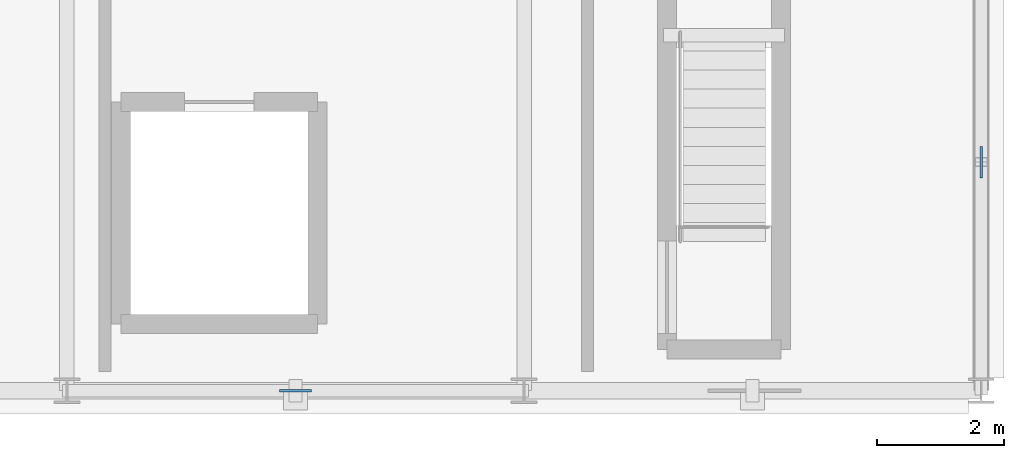
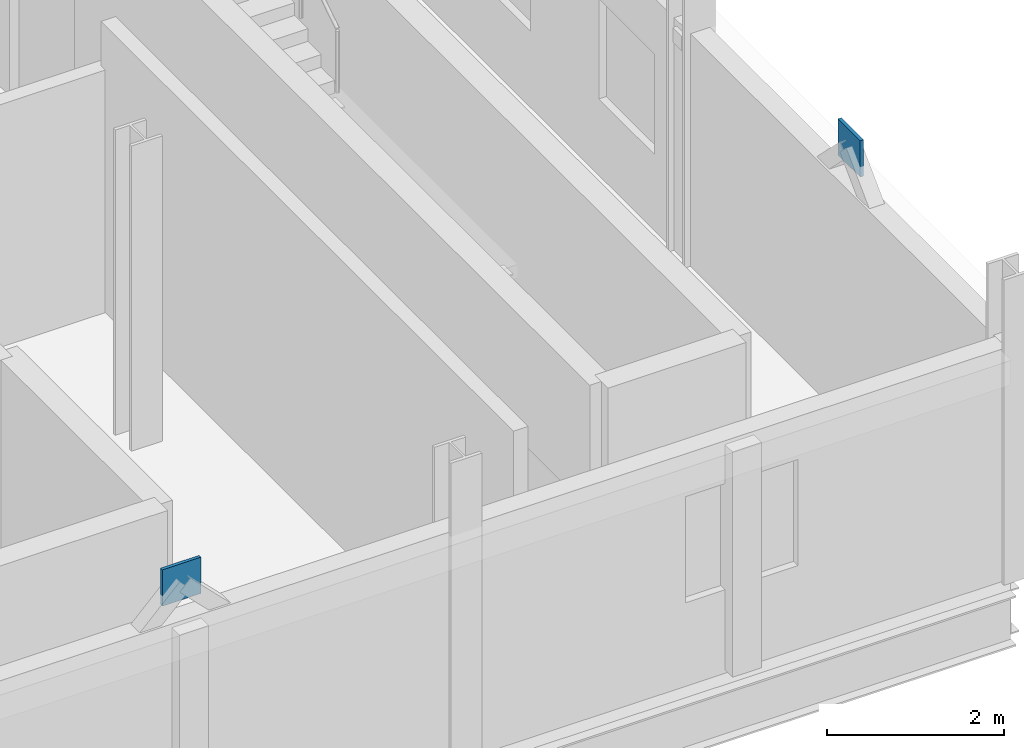
# One storey, part 100 of 144: 2 plates.
"""IFC4 building model written with IfcOpenShell, lengths in metres."""

from ifc_helpers import new_model, si_unit, direction, frame, origin, origin_2d, place, context, subcontext, project, spatial, rectangle, extrude, material, layer, layer_set, type_object, element, save


model = new_model("IFC4")

# Units and contexts
model_context = context("Model", 3, precision=1e-05, world=origin(), true_north=direction((0.0, 1.0)))
body_context = subcontext(model_context, "Body", "Model", "MODEL_VIEW")
ifc_project = project(units=[si_unit("LENGTHUNIT", "METRE"), si_unit("AREAUNIT", "SQUARE_METRE"), si_unit("VOLUMEUNIT", "CUBIC_METRE"), si_unit("PLANEANGLEUNIT", "RADIAN"), si_unit("MASSUNIT", "GRAM", prefix="KILO")], contexts=[model_context])

# Site, building, storey
site_placement = place(None, origin())
site = spatial("IfcSite", under=ifc_project, at=site_placement, CompositionType="ELEMENT")
building_placement = place(site_placement, origin())
building = spatial("IfcBuilding", under=site, at=building_placement, Name="Yarey Park Central Fire Station", CompositionType="ELEMENT")
storey_placement = place(building_placement, frame((0.0, 0.0, 10.199951171875)))
storey = spatial("IfcBuildingStorey", under=building, at=storey_placement, Name="L03", CompositionType="ELEMENT", Elevation=10.199951171875)

# Plates
ifc_material = material(Name="Steel ASTM A572 Gr. 50", Category="steel")
ifc_layer = layer(ifc_material, 0.0419921875)
ifc_layer_set = layer_set([ifc_layer], Name="Steel ASTM A572 Gr. 50")
plate_type = type_object("IfcPlateType", Name="STR_PLT_NODE2", PredefinedType="USERDEFINED", material=ifc_layer_set)
plate_1_placement = place(storey_placement, frame((165.60009765625, 3.60009765625, 3.400146484375), z_axis=(0.0, 0.0, 1.0), x_axis=(1.0, 0.0, 0.0)))
element("IfcPlate", 1, at=plate_1_placement, inside=storey, type_object=plate_type, Name="NODE_PLT_DT_L03_1", ObjectType="GUSSET_PLATE", PredefinedType="USERDEFINED", context=body_context, shape_type="SweptSolid", body=[
    extrude(rectangle(XDim=0.0419921875, YDim=0.5, at=origin_2d()), origin(), (0.0, 0.0, 1.0), 0.5),
])
plate_2_placement = place(storey_placement, frame((154.800048828125, 0.0, 3.400146484375), z_axis=(0.0, 0.0, 1.0), x_axis=(1.0, 0.0, 0.0)))
element("IfcPlate", 2, at=plate_2_placement, inside=storey, type_object=plate_type, Name="NODE_PLT_DT_L03_2", ObjectType="GUSSET_PLATE", PredefinedType="USERDEFINED", context=body_context, shape_type="SweptSolid", body=[
    extrude(rectangle(XDim=0.5, YDim=0.0419921875, at=origin_2d()), origin(), (0.0, 0.0, 1.0), 0.5),
])

save(model, "model.ifc")
